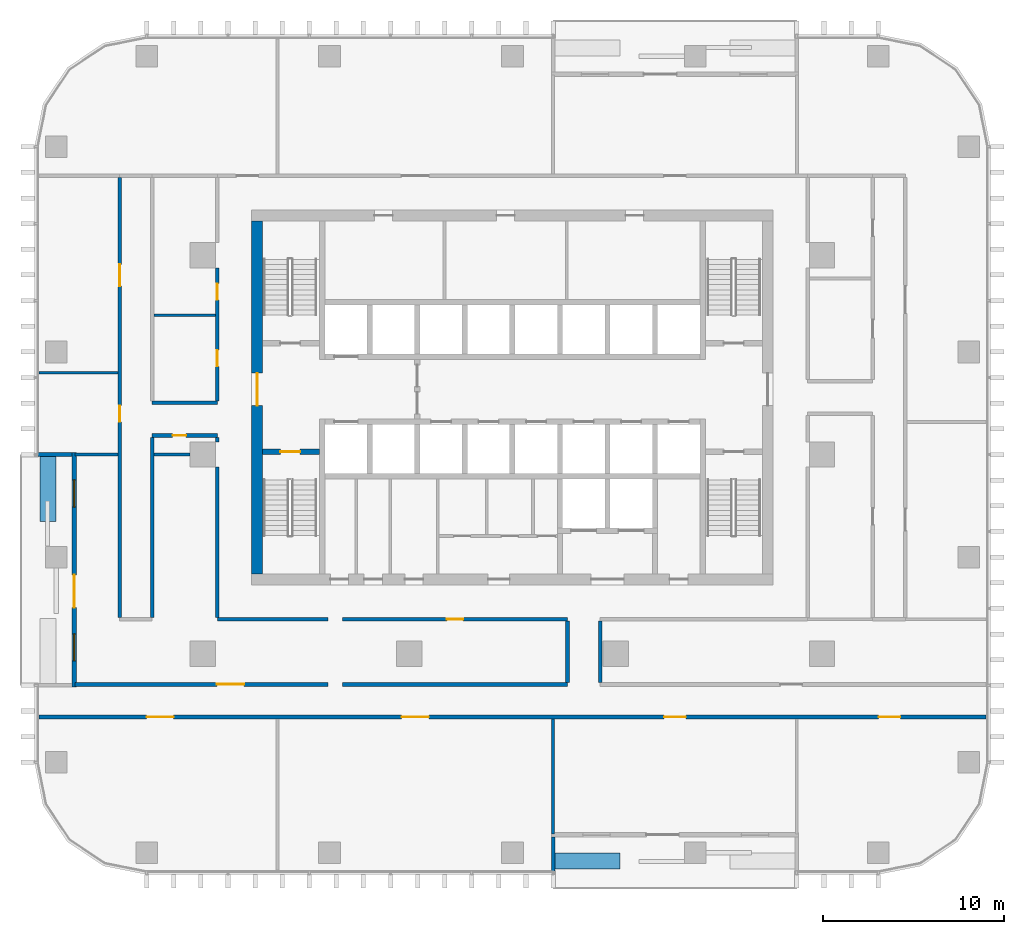
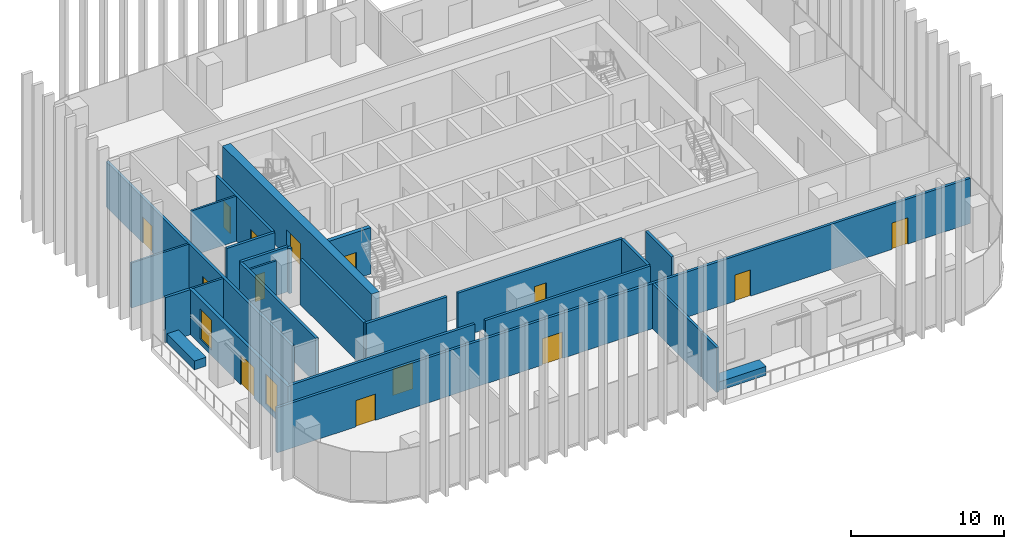
# One storey, part 7 of 16: 26 walls, 14 doors, 2 windows, 16 openings.
"""IFC4 building model written with IfcOpenShell, lengths in metres."""

from ifc_helpers import new_model, si_unit, direction, frame, frame_2d, origin, place, context, subcontext, project, spatial, rectangle, extrude, material, layer, layer_set, type_object, element, fill, save


model = new_model("IFC4")

# Units and contexts
model_context = context("Model", 3, precision=1e-05, world=origin(), true_north=direction((0.0, 1.0)))
body_context = subcontext(model_context, "Body", "Model", "MODEL_VIEW")
ifc_project = project(units=[si_unit("LENGTHUNIT", "METRE"), si_unit("AREAUNIT", "SQUARE_METRE"), si_unit("VOLUMEUNIT", "CUBIC_METRE"), si_unit("PLANEANGLEUNIT", "RADIAN"), si_unit("MASSUNIT", "GRAM", prefix="KILO")], contexts=[model_context])

# Site, building, storey
site_placement = place(None, origin())
site = spatial("IfcSite", under=ifc_project, at=site_placement, CompositionType="ELEMENT")
building_placement = place(site_placement, origin())
building = spatial("IfcBuilding", under=site, at=building_placement, Name="Mopane Tessera Tower", CompositionType="ELEMENT")
storey_placement = place(building_placement, frame((0.0, 0.0, 193.0)))
storey = spatial("IfcBuildingStorey", under=building, at=storey_placement, Name="L40", CompositionType="ELEMENT", Elevation=193.0)

# Wall, opening, door
ifc_material_1 = material(Name="Concrete C70/85", Category="concrete")
ifc_layer_1 = layer(ifc_material_1, 0.60009765625)
ifc_layer_set_1 = layer_set([ifc_layer_1], Name="Concrete C70/85")
wall_type_1 = type_object("IfcWallType", Name="Core shear wall 600 mm", PredefinedType="SHEAR", material=ifc_layer_set_1)
wall_1_placement = place(storey_placement, frame((-14.10009765625, -6.60009765625, 0.0), z_axis=(0.0, 0.0, 1.0), x_axis=(0.0, 1.0, 0.0)))
wall_1 = element("IfcWall", 1, at=wall_1_placement, inside=storey, type_object=wall_type_1, Name="L40 Core wall west", PredefinedType="SHEAR", context=body_context, shape_type="SweptSolid", body=[
    extrude(rectangle(XDim=19.5, YDim=0.60009765625, at=frame_2d((9.75, 0.0))), origin(), (0.0, 0.0, 1.0), 3.699951171875),
])
opening_1_placement = place(wall_1_placement, frame((9.300048828125, 0.0, 0.0)))
opening_1 = element("IfcOpeningElement", 2, at=opening_1_placement, cuts=wall_1, Name="Opening SD2", PredefinedType="OPENING", context=body_context, shape_type="SweptSolid", body=[
    extrude(rectangle(XDim=1.800048828125, YDim=2.10009765625, at=frame_2d((0.89990234375, 1.050048828125))), frame((0.0, 0.31201171875, 0.0), z_axis=(0.0, -1.0, 0.0), x_axis=(1.0, 0.0, 0.0)), (0.0, 0.0, 1.0), 0.6240234375),
])
ifc_material_2 = material(Name="Steel fire door", Category="steel")
door_type_1 = type_object("IfcDoorType", Name="Core entrance double door 1800 x 2100", OperationType="DOUBLE_DOOR_SINGLE_SWING", PredefinedType="DOOR", material=ifc_material_2)
door_1_placement = place(opening_1_placement, origin())
door_1 = element("IfcDoor", 3, at=door_1_placement, inside=storey, type_object=door_type_1, Name="L40 Core entrance door west", OperationType="DOUBLE_DOOR_SINGLE_SWING", OverallHeight=2.10009765625, OverallWidth=1.800048828125, PredefinedType="DOOR", context=body_context, shape_type="SweptSolid", body=[
    extrude(rectangle(XDim=1.800048828125, YDim=2.10009765625, at=frame_2d((0.89990234375, 1.050048828125))), frame((0.0, 0.02490234375, 0.0), z_axis=(0.0, -1.0, 0.0), x_axis=(1.0, 0.0, 0.0)), (0.0, 0.0, 1.0), 0.050048828125),
])
fill(opening_1, door_1)

# Wall
ifc_material_3 = material(Name="Gypsum board on staggered steel studs, double layer each face, acoustic mineral wool infill", Category="steel")
ifc_layer_2 = layer(ifc_material_3, 0.175048828125)
ifc_layer_set_2 = layer_set([ifc_layer_2], Name="Gypsum board on staggered steel studs, double layer each face, acoustic mineral wool infill")
wall_type_2 = type_object("IfcWallType", Name="Gypsum board acoustic partition 175, rated EI 60", PredefinedType="PARTITIONING", material=ifc_layer_set_2)
wall_2_placement = place(storey_placement, frame((2.2451171875, -20.949951171875, 0.0), z_axis=(0.0, 0.0, 1.0), x_axis=(0.0, 1.0, 0.0)))
element("IfcWall", 4, at=wall_2_placement, inside=storey, type_object=wall_type_2, Name="Partition L40:037", PredefinedType="PARTITIONING", context=body_context, shape_type="SweptSolid", body=[
    extrude(rectangle(XDim=6.349853515625, YDim=0.175048828125, at=frame_2d((3.1748046875, 0.0))), origin(), (0.0, 0.0, 1.0), 3.60009765625),
])

# Wall, openings, doors
ifc_material_4 = material(Name="Gypsum board on steel studs, two layers each face, mineral wool infill", Category="steel")
ifc_layer_3 = layer(ifc_material_4, 0.199951171875)
ifc_layer_set_3 = layer_set([ifc_layer_3], Name="Gypsum board on steel studs, two layers each face, mineral wool infill")
wall_type_3 = type_object("IfcWallType", Name="Gypsum board corridor wall 200, rated EI 60", PredefinedType="PARTITIONING", material=ifc_layer_set_3)
wall_3_placement = place(storey_placement, frame((-26.14990234375, -14.5, 0.0), z_axis=(0.0, 0.0, 1.0), x_axis=(1.0, 0.0, 0.0)))
wall_3 = element("IfcWall", 5, at=wall_3_placement, inside=storey, type_object=wall_type_3, Name="Partition L40:000", PredefinedType="PARTITIONING", context=body_context, shape_type="SweptSolid", body=[
    extrude(rectangle(XDim=52.2998046875, YDim=0.199951171875, at=frame_2d((26.14990234375, 0.0))), origin(), (0.0, 0.0, 1.0), 3.60009765625),
])
opening_2_placement = place(wall_3_placement, frame((46.3798828125, 0.0, 0.0)))
opening_2 = element("IfcOpeningElement", 6, at=opening_2_placement, cuts=wall_3, Name="Opening L40-04", PredefinedType="OPENING", context=body_context, shape_type="SweptSolid", body=[
    extrude(rectangle(XDim=1.199951171875, YDim=2.10009765625, at=frame_2d((0.60009765625, 1.050048828125))), frame((0.0, 0.112060546875, 0.0), z_axis=(0.0, -1.0, 0.0), x_axis=(1.0, 0.0, 0.0)), (0.0, 0.0, 1.0), 0.223876953125),
])
opening_3_placement = place(wall_3_placement, frame((5.9375, 0.0, 0.0)))
opening_3 = element("IfcOpeningElement", 7, at=opening_3_placement, cuts=wall_3, Name="Opening L40-12", PredefinedType="OPENING", context=body_context, shape_type="SweptSolid", body=[
    extrude(rectangle(XDim=1.5, YDim=2.10009765625, at=frame_2d((0.75, 1.050048828125))), frame((0.0, 0.112060546875, 0.0), z_axis=(0.0, -1.0, 0.0), x_axis=(1.0, 0.0, 0.0)), (0.0, 0.0, 1.0), 0.223876953125),
])
opening_4_placement = place(wall_3_placement, frame((20.034912109375, 0.0, 0.0)))
opening_4 = element("IfcOpeningElement", 8, at=opening_4_placement, cuts=wall_3, Name="Opening L40-16", PredefinedType="OPENING", context=body_context, shape_type="SweptSolid", body=[
    extrude(rectangle(XDim=1.5, YDim=2.10009765625, at=frame_2d((0.75, 1.050048828125))), frame((0.0, 0.112060546875, 0.0), z_axis=(0.0, -1.0, 0.0), x_axis=(1.0, 0.0, 0.0)), (0.0, 0.0, 1.0), 0.223876953125),
])
opening_5_placement = place(wall_3_placement, frame((34.527587890625, 0.0, 0.0)))
opening_5 = element("IfcOpeningElement", 9, at=opening_5_placement, cuts=wall_3, Name="Opening L40-19", PredefinedType="OPENING", context=body_context, shape_type="SweptSolid", body=[
    extrude(rectangle(XDim=1.199951171875, YDim=2.10009765625, at=frame_2d((0.60009765625, 1.050048828125))), frame((0.0, 0.112060546875, 0.0), z_axis=(0.0, -1.0, 0.0), x_axis=(1.0, 0.0, 0.0)), (0.0, 0.0, 1.0), 0.223876953125),
])
ifc_material_5 = material(Name="Timber veneered steel-framed fire door", Category="steel")
door_type_2 = type_object("IfcDoorType", Name="Fire door FD60 1200 x 2100", OperationType="SINGLE_SWING_LEFT", PredefinedType="DOOR", material=ifc_material_5)
door_2_placement = place(opening_2_placement, origin())
door_2 = element("IfcDoor", 10, at=door_2_placement, inside=storey, type_object=door_type_2, Name="Door L40-04", ObjectType="D15A", OperationType="SINGLE_SWING_RIGHT", OverallHeight=2.10009765625, OverallWidth=1.199951171875, PredefinedType="DOOR", context=body_context, shape_type="SweptSolid", body=[
    extrude(rectangle(XDim=1.199951171875, YDim=2.10009765625, at=frame_2d((0.60009765625, 1.050048828125))), frame((0.0, 0.02490234375, 0.0), z_axis=(0.0, -1.0, 0.0), x_axis=(1.0, 0.0, 0.0)), (0.0, 0.0, 1.0), 0.050048828125),
])
fill(opening_2, door_2)
door_3_placement = place(opening_5_placement, origin())
door_3 = element("IfcDoor", 11, at=door_3_placement, inside=storey, type_object=door_type_2, Name="Door L40-19", ObjectType="D15A", OperationType="SINGLE_SWING_LEFT", OverallHeight=2.10009765625, OverallWidth=1.199951171875, PredefinedType="DOOR", context=body_context, shape_type="SweptSolid", body=[
    extrude(rectangle(XDim=1.199951171875, YDim=2.10009765625, at=frame_2d((0.60009765625, 1.050048828125))), frame((0.0, 0.02490234375, 0.0), z_axis=(0.0, -1.0, 0.0), x_axis=(1.0, 0.0, 0.0)), (0.0, 0.0, 1.0), 0.050048828125),
])
fill(opening_5, door_3)
ifc_material_6 = material(Name="Timber veneered steel-framed fire door", Category="steel")
door_type_3 = type_object("IfcDoorType", Name="Fire door pair FD60 1500 x 2100", OperationType="DOUBLE_DOOR_SINGLE_SWING", PredefinedType="DOOR", material=ifc_material_6)
door_4_placement = place(opening_3_placement, origin())
door_4 = element("IfcDoor", 12, at=door_4_placement, inside=storey, type_object=door_type_3, Name="Door L40-12", ObjectType="D17A", OperationType="DOUBLE_DOOR_SINGLE_SWING", OverallHeight=2.10009765625, OverallWidth=1.5, PredefinedType="DOOR", context=body_context, shape_type="SweptSolid", body=[
    extrude(rectangle(XDim=1.5, YDim=2.10009765625, at=frame_2d((0.75, 1.050048828125))), frame((0.0, 0.02490234375, 0.0), z_axis=(0.0, -1.0, 0.0), x_axis=(1.0, 0.0, 0.0)), (0.0, 0.0, 1.0), 0.050048828125),
])
fill(opening_3, door_4)
door_5_placement = place(opening_4_placement, origin())
door_5 = element("IfcDoor", 13, at=door_5_placement, inside=storey, type_object=door_type_3, Name="Door L40-16", ObjectType="D17A", OperationType="DOUBLE_DOOR_SINGLE_SWING", OverallHeight=2.10009765625, OverallWidth=1.5, PredefinedType="DOOR", context=body_context, shape_type="SweptSolid", body=[
    extrude(rectangle(XDim=1.5, YDim=2.10009765625, at=frame_2d((0.75, 1.050048828125))), frame((0.0, 0.02490234375, 0.0), z_axis=(0.0, -1.0, 0.0), x_axis=(1.0, 0.0, 0.0)), (0.0, 0.0, 1.0), 0.050048828125),
])
fill(opening_4, door_5)

# Wall, opening, door
wall_4_placement = place(storey_placement, frame((-24.14990234375, -12.699951171875, 0.0), z_axis=(0.0, 0.0, 1.0), x_axis=(1.0, 0.0, 0.0)))
wall_4 = element("IfcWall", 14, at=wall_4_placement, inside=storey, type_object=wall_type_3, Name="Partition L40:001", PredefinedType="PARTITIONING", context=body_context, shape_type="SweptSolid", body=[
    extrude(rectangle(XDim=13.949951171875, YDim=0.199951171875, at=frame_2d((6.97509765625, 0.0))), origin(), (0.0, 0.0, 1.0), 3.60009765625),
])
opening_6_placement = place(wall_4_placement, frame((7.824951171875, 0.0, 0.0)))
opening_6 = element("IfcOpeningElement", 15, at=opening_6_placement, cuts=wall_4, Name="Opening L40-18", PredefinedType="OPENING", context=body_context, shape_type="SweptSolid", body=[
    extrude(rectangle(XDim=1.5, YDim=2.10009765625, at=frame_2d((0.75, 1.050048828125))), frame((0.0, 0.112060546875, 0.0), z_axis=(0.0, -1.0, 0.0), x_axis=(1.0, 0.0, 0.0)), (0.0, 0.0, 1.0), 0.223876953125),
])
door_6_placement = place(opening_6_placement, origin())
door_6 = element("IfcDoor", 16, at=door_6_placement, inside=storey, type_object=door_type_3, Name="Door L40-18", ObjectType="D17A", OperationType="DOUBLE_DOOR_SINGLE_SWING", OverallHeight=2.10009765625, OverallWidth=1.5, PredefinedType="DOOR", context=body_context, shape_type="SweptSolid", body=[
    extrude(rectangle(XDim=1.5, YDim=2.10009765625, at=frame_2d((0.75, 1.050048828125))), frame((0.0, 0.02490234375, 0.0), z_axis=(0.0, -1.0, 0.0), x_axis=(1.0, 0.0, 0.0)), (0.0, 0.0, 1.0), 0.050048828125),
])
fill(opening_6, door_6)

# Walls
wall_5_placement = place(storey_placement, frame((-9.385009765625, -12.699951171875, 0.0), z_axis=(0.0, 0.0, 1.0), x_axis=(1.0, 0.0, 0.0)))
element("IfcWall", 17, at=wall_5_placement, inside=storey, type_object=wall_type_3, Name="Partition L40:002", PredefinedType="PARTITIONING", context=body_context, shape_type="SweptSolid", body=[
    extrude(rectangle(XDim=12.425048828125, YDim=0.199951171875, at=frame_2d((6.21240234375, 0.0))), origin(), (0.0, 0.0, 1.0), 3.60009765625),
])
wall_6_placement = place(storey_placement, frame((-16.300048828125, -9.10009765625, 0.0), z_axis=(0.0, 0.0, 1.0), x_axis=(1.0, 0.0, 0.0)))
element("IfcWall", 18, at=wall_6_placement, inside=storey, type_object=wall_type_3, Name="Partition L40:007", PredefinedType="PARTITIONING", context=body_context, shape_type="SweptSolid", body=[
    extrude(rectangle(XDim=6.10009765625, YDim=0.199951171875, at=frame_2d((3.050048828125, 0.0))), origin(), (0.0, 0.0, 1.0), 3.60009765625),
])

# Wall, opening, door
wall_7_placement = place(storey_placement, frame((-9.385009765625, -9.10009765625, 0.0), z_axis=(0.0, 0.0, 1.0), x_axis=(1.0, 0.0, 0.0)))
wall_7 = element("IfcWall", 19, at=wall_7_placement, inside=storey, type_object=wall_type_3, Name="Partition L40:008", PredefinedType="PARTITIONING", context=body_context, shape_type="SweptSolid", body=[
    extrude(rectangle(XDim=12.425048828125, YDim=0.199951171875, at=frame_2d((6.21240234375, 0.0))), origin(), (0.0, 0.0, 1.0), 3.60009765625),
])
opening_7_placement = place(wall_7_placement, frame((5.762451171875, 0.0, 0.0)))
opening_7 = element("IfcOpeningElement", 20, at=opening_7_placement, cuts=wall_7, Name="Opening L40-11", PredefinedType="OPENING", context=body_context, shape_type="SweptSolid", body=[
    extrude(rectangle(XDim=0.89990234375, YDim=2.10009765625, at=frame_2d((0.449951171875, 1.050048828125))), frame((0.0, 0.112060546875, 0.0), z_axis=(0.0, -1.0, 0.0), x_axis=(1.0, 0.0, 0.0)), (0.0, 0.0, 1.0), 0.223876953125),
])
ifc_material_7 = material(Name="Timber veneered steel-framed fire door", Category="steel")
door_type_4 = type_object("IfcDoorType", Name="Fire door FD60 900 x 2100", OperationType="SINGLE_SWING_LEFT", PredefinedType="DOOR", material=ifc_material_7)
door_7_placement = place(opening_7_placement, origin())
door_7 = element("IfcDoor", 21, at=door_7_placement, inside=storey, type_object=door_type_4, Name="Door L40-11", ObjectType="D10A", OperationType="SINGLE_SWING_LEFT", OverallHeight=2.10009765625, OverallWidth=0.89990234375, PredefinedType="DOOR", context=body_context, shape_type="SweptSolid", body=[
    extrude(rectangle(XDim=0.89990234375, YDim=2.10009765625, at=frame_2d((0.449951171875, 1.050048828125))), frame((0.0, 0.02490234375, 0.0), z_axis=(0.0, -1.0, 0.0), x_axis=(1.0, 0.0, 0.0)), (0.0, 0.0, 1.0), 0.050048828125),
])
fill(opening_7, door_7)

wall_8_placement = place(storey_placement, frame((-19.89990234375, 1.050048828125, 0.0), z_axis=(0.0, 0.0, 1.0), x_axis=(1.0, 0.0, 0.0)))
wall_8 = element("IfcWall", 22, at=wall_8_placement, inside=storey, type_object=wall_type_3, Name="Partition L40:013", PredefinedType="PARTITIONING", context=body_context, shape_type="SweptSolid", body=[
    extrude(rectangle(XDim=3.599853515625, YDim=0.199951171875, at=frame_2d((1.7998046875, 0.0))), origin(), (0.0, 0.0, 1.0), 3.60009765625),
])
opening_8_placement = place(wall_8_placement, frame((1.125, 0.0, 0.0)))
opening_8 = element("IfcOpeningElement", 23, at=opening_8_placement, cuts=wall_8, Name="Opening L40-05", PredefinedType="OPENING", context=body_context, shape_type="SweptSolid", body=[
    extrude(rectangle(XDim=0.75, YDim=2.10009765625, at=frame_2d((0.375, 1.050048828125))), frame((0.0, 0.112060546875, 0.0), z_axis=(0.0, -1.0, 0.0), x_axis=(1.0, 0.0, 0.0)), (0.0, 0.0, 1.0), 0.223876953125),
])
ifc_material_8 = material(Name="Timber veneered steel-framed fire door", Category="steel")
door_type_5 = type_object("IfcDoorType", Name="Fire door FD60 750 x 2100", OperationType="SINGLE_SWING_LEFT", PredefinedType="DOOR", material=ifc_material_8)
door_8_placement = place(opening_8_placement, origin())
door_8 = element("IfcDoor", 24, at=door_8_placement, inside=storey, type_object=door_type_5, Name="Door L40-05", ObjectType="D08A", OperationType="SINGLE_SWING_LEFT", OverallHeight=2.10009765625, OverallWidth=0.75, PredefinedType="DOOR", context=body_context, shape_type="SweptSolid", body=[
    extrude(rectangle(XDim=0.75, YDim=2.10009765625, at=frame_2d((0.375, 1.050048828125))), frame((0.0, 0.02490234375, 0.0), z_axis=(0.0, -1.0, 0.0), x_axis=(1.0, 0.0, 0.0)), (0.0, 0.0, 1.0), 0.050048828125),
])
fill(opening_8, door_8)

# Wall
wall_9_placement = place(storey_placement, frame((-19.89990234375, 2.85009765625, 0.0), z_axis=(0.0, 0.0, 1.0), x_axis=(1.0, 0.0, 0.0)))
element("IfcWall", 25, at=wall_9_placement, inside=storey, type_object=wall_type_3, Name="Partition L40:016", PredefinedType="PARTITIONING", context=body_context, shape_type="SweptSolid", body=[
    extrude(rectangle(XDim=3.599853515625, YDim=0.199951171875, at=frame_2d((1.7998046875, 0.0))), origin(), (0.0, 0.0, 1.0), 3.60009765625),
])

# Wall, openings, doors
wall_10_placement = place(storey_placement, frame((-21.699951171875, -9.0, 0.0), z_axis=(0.0, 0.0, 1.0), x_axis=(0.0, 1.0, 0.0)))
wall_10 = element("IfcWall", 26, at=wall_10_placement, inside=storey, type_object=wall_type_3, Name="Partition L40:027", PredefinedType="PARTITIONING", context=body_context, shape_type="SweptSolid", body=[
    extrude(rectangle(XDim=24.300048828125, YDim=0.199951171875, at=frame_2d((12.14990234375, 0.0))), origin(), (0.0, 0.0, 1.0), 3.60009765625),
])
opening_9_placement = place(wall_10_placement, frame((18.304931640625, 0.0, 0.0)))
opening_9 = element("IfcOpeningElement", 27, at=opening_9_placement, cuts=wall_10, Name="Opening L40-01", PredefinedType="OPENING", context=body_context, shape_type="SweptSolid", body=[
    extrude(rectangle(XDim=1.199951171875, YDim=2.10009765625, at=frame_2d((0.60009765625, 1.050048828125))), frame((0.0, 0.112060546875, 0.0), z_axis=(0.0, -1.0, 0.0), x_axis=(1.0, 0.0, 0.0)), (0.0, 0.0, 1.0), 0.223876953125),
])
opening_10_placement = place(wall_10_placement, frame((10.804931640625, 0.0, 0.0)))
opening_10 = element("IfcOpeningElement", 28, at=opening_10_placement, cuts=wall_10, Name="Opening L40-09", PredefinedType="OPENING", context=body_context, shape_type="SweptSolid", body=[
    extrude(rectangle(XDim=0.89990234375, YDim=2.10009765625, at=frame_2d((0.449951171875, 1.050048828125))), frame((0.0, 0.112060546875, 0.0), z_axis=(0.0, -1.0, 0.0), x_axis=(1.0, 0.0, 0.0)), (0.0, 0.0, 1.0), 0.223876953125),
])
door_9_placement = place(opening_9_placement, origin())
door_9 = element("IfcDoor", 29, at=door_9_placement, inside=storey, type_object=door_type_2, Name="Door L40-01", ObjectType="D15A", OperationType="SINGLE_SWING_RIGHT", OverallHeight=2.10009765625, OverallWidth=1.199951171875, PredefinedType="DOOR", context=body_context, shape_type="SweptSolid", body=[
    extrude(rectangle(XDim=1.199951171875, YDim=2.10009765625, at=frame_2d((0.60009765625, 1.050048828125))), frame((0.0, 0.02490234375, 0.0), z_axis=(0.0, -1.0, 0.0), x_axis=(1.0, 0.0, 0.0)), (0.0, 0.0, 1.0), 0.050048828125),
])
fill(opening_9, door_9)
door_10_placement = place(opening_10_placement, origin())
door_10 = element("IfcDoor", 30, at=door_10_placement, inside=storey, type_object=door_type_4, Name="Door L40-09", ObjectType="D10A", OperationType="SINGLE_SWING_RIGHT", OverallHeight=2.10009765625, OverallWidth=0.89990234375, PredefinedType="DOOR", context=body_context, shape_type="SweptSolid", body=[
    extrude(rectangle(XDim=0.89990234375, YDim=2.10009765625, at=frame_2d((0.449951171875, 1.050048828125))), frame((0.0, 0.02490234375, 0.0), z_axis=(0.0, -1.0, 0.0), x_axis=(1.0, 0.0, 0.0)), (0.0, 0.0, 1.0), 0.050048828125),
])
fill(opening_10, door_10)

# Walls
wall_11_placement = place(storey_placement, frame((-19.89990234375, -9.0, 0.0), z_axis=(0.0, 0.0, 1.0), x_axis=(0.0, 1.0, 0.0)))
element("IfcWall", 31, at=wall_11_placement, inside=storey, type_object=wall_type_3, Name="Partition L40:028", PredefinedType="PARTITIONING", context=body_context, shape_type="SweptSolid", body=[
    extrude(rectangle(XDim=9.949951171875, YDim=0.199951171875, at=frame_2d((4.97509765625, 0.0))), origin(), (0.0, 0.0, 1.0), 3.60009765625),
])
wall_12_placement = place(storey_placement, frame((-16.300048828125, -9.0, 0.0), z_axis=(0.0, 0.0, 1.0), x_axis=(0.0, 1.0, 0.0)))
element("IfcWall", 32, at=wall_12_placement, inside=storey, type_object=wall_type_3, Name="Partition L40:030", PredefinedType="PARTITIONING", context=body_context, shape_type="SweptSolid", body=[
    extrude(rectangle(XDim=8.300048828125, YDim=0.199951171875, at=frame_2d((4.14990234375, 0.0))), origin(), (0.0, 0.0, 1.0), 3.60009765625),
])
wall_13_placement = place(storey_placement, frame((-16.300048828125, 0.699951171875, 0.0), z_axis=(0.0, 0.0, 1.0), x_axis=(0.0, 1.0, 0.0)))
element("IfcWall", 33, at=wall_13_placement, inside=storey, type_object=wall_type_3, Name="Partition L40:031", PredefinedType="PARTITIONING", context=body_context, shape_type="SweptSolid", body=[
    extrude(rectangle(XDim=0.25, YDim=0.199951171875, at=frame_2d((0.125, 0.0))), origin(), (0.0, 0.0, 1.0), 3.60009765625),
])

# Wall, openings, doors
wall_14_placement = place(storey_placement, frame((-16.300048828125, 2.949951171875, 0.0), z_axis=(0.0, 0.0, 1.0), x_axis=(0.0, 1.0, 0.0)))
wall_14 = element("IfcWall", 34, at=wall_14_placement, inside=storey, type_object=wall_type_3, Name="Partition L40:032", PredefinedType="PARTITIONING", context=body_context, shape_type="SweptSolid", body=[
    extrude(rectangle(XDim=7.35009765625, YDim=0.199951171875, at=frame_2d((3.675048828125, 0.0))), origin(), (0.0, 0.0, 1.0), 3.60009765625),
])
opening_11_placement = place(wall_14_placement, frame((5.592529296875, 0.0, 0.0)))
opening_11 = element("IfcOpeningElement", 35, at=opening_11_placement, cuts=wall_14, Name="Opening L40-02", PredefinedType="OPENING", context=body_context, shape_type="SweptSolid", body=[
    extrude(rectangle(XDim=0.89990234375, YDim=2.10009765625, at=frame_2d((0.449951171875, 1.050048828125))), frame((0.0, 0.112060546875, 0.0), z_axis=(0.0, -1.0, 0.0), x_axis=(1.0, 0.0, 0.0)), (0.0, 0.0, 1.0), 0.223876953125),
])
opening_12_placement = place(wall_14_placement, frame((1.91748046875, 0.0, 0.0)))
opening_12 = element("IfcOpeningElement", 36, at=opening_12_placement, cuts=wall_14, Name="Opening L40-10", PredefinedType="OPENING", context=body_context, shape_type="SweptSolid", body=[
    extrude(rectangle(XDim=0.89990234375, YDim=2.10009765625, at=frame_2d((0.449951171875, 1.050048828125))), frame((0.0, 0.112060546875, 0.0), z_axis=(0.0, -1.0, 0.0), x_axis=(1.0, 0.0, 0.0)), (0.0, 0.0, 1.0), 0.223876953125),
])
door_11_placement = place(opening_11_placement, origin())
door_11 = element("IfcDoor", 37, at=door_11_placement, inside=storey, type_object=door_type_4, Name="Door L40-02", ObjectType="D10A", OperationType="SINGLE_SWING_LEFT", OverallHeight=2.10009765625, OverallWidth=0.89990234375, PredefinedType="DOOR", context=body_context, shape_type="SweptSolid", body=[
    extrude(rectangle(XDim=0.89990234375, YDim=2.10009765625, at=frame_2d((0.449951171875, 1.050048828125))), frame((0.0, 0.02490234375, 0.0), z_axis=(0.0, -1.0, 0.0), x_axis=(1.0, 0.0, 0.0)), (0.0, 0.0, 1.0), 0.050048828125),
])
fill(opening_11, door_11)
door_12_placement = place(opening_12_placement, origin())
door_12 = element("IfcDoor", 38, at=door_12_placement, inside=storey, type_object=door_type_4, Name="Door L40-10", ObjectType="D10A", OperationType="SINGLE_SWING_LEFT", OverallHeight=2.10009765625, OverallWidth=0.89990234375, PredefinedType="DOOR", context=body_context, shape_type="SweptSolid", body=[
    extrude(rectangle(XDim=0.89990234375, YDim=2.10009765625, at=frame_2d((0.449951171875, 1.050048828125))), frame((0.0, 0.02490234375, 0.0), z_axis=(0.0, -1.0, 0.0), x_axis=(1.0, 0.0, 0.0)), (0.0, 0.0, 1.0), 0.050048828125),
])
fill(opening_12, door_12)

# Walls
for number, where, z_axis, x_axis, name in (
    (39, (3.0400390625, -12.60009765625, 0.0), (0.0, 0.0, 1.0), (0.0, 1.0, 0.0), "Partition L40:038"),
    (40, (4.840087890625, -12.60009765625, 0.0), (0.0, 0.0, 1.0), (0.0, 1.0, 0.0), "Partition L40:039"),
):
    element("IfcWall", number, at=place(storey_placement, frame(where, z_axis=z_axis, x_axis=x_axis)), inside=storey, type_object=wall_type_3, Name=name, PredefinedType="PARTITIONING", context=body_context, shape_type="SweptSolid", body=[
        extrude(rectangle(XDim=3.400146484375, YDim=0.199951171875, at=frame_2d((1.7001953125, 0.0))), origin(), (0.0, 0.0, 1.0), 3.60009765625),
    ])
ifc_material_9 = material(Name="Gypsum board on steel studs, mineral wool infill", Category="steel")
ifc_layer_4 = layer(ifc_material_9, 0.14990234375)
ifc_layer_set_4 = layer_set([ifc_layer_4], Name="Gypsum board on steel studs, mineral wool infill")
wall_type_4 = type_object("IfcWallType", Name="Gypsum board partition 150, rated EI 60", PredefinedType="PARTITIONING", material=ifc_layer_set_4)
wall_15_placement = place(storey_placement, frame((-24.14990234375, 0.0, 0.0), z_axis=(0.0, 0.0, 1.0), x_axis=(1.0, 0.0, 0.0)))
element("IfcWall", 41, at=wall_15_placement, inside=storey, type_object=wall_type_4, Name="Partition L40:011", PredefinedType="PARTITIONING", context=body_context, shape_type="SweptSolid", body=[
    extrude(rectangle(XDim=2.349853515625, YDim=0.14990234375, at=frame_2d((1.1748046875, 0.0))), origin(), (0.0, 0.0, 1.0), 3.60009765625),
])
wall_16_placement = place(storey_placement, frame((-19.800048828125, 0.0, 0.0), z_axis=(0.0, 0.0, 1.0), x_axis=(1.0, 0.0, 0.0)))
element("IfcWall", 42, at=wall_16_placement, inside=storey, type_object=wall_type_4, Name="Partition L40:012", PredefinedType="PARTITIONING", context=body_context, shape_type="SweptSolid", body=[
    extrude(rectangle(XDim=2.0, YDim=0.14990234375, at=frame_2d((1.0, 0.0))), origin(), (0.0, 0.0, 1.0), 3.60009765625),
])
wall_17_placement = place(storey_placement, frame((-26.14990234375, 4.510009765625, 0.0), z_axis=(0.0, 0.0, 1.0), x_axis=(1.0, 0.0, 0.0)))
element("IfcWall", 43, at=wall_17_placement, inside=storey, type_object=wall_type_4, Name="Partition L40:018", PredefinedType="PARTITIONING", context=body_context, shape_type="SweptSolid", body=[
    extrude(rectangle(XDim=4.349853515625, YDim=0.14990234375, at=frame_2d((2.1748046875, 0.0))), origin(), (0.0, 0.0, 1.0), 3.60009765625),
])
wall_18_placement = place(storey_placement, frame((-19.800048828125, 7.68505859375, 0.0), z_axis=(0.0, 0.0, 1.0), x_axis=(1.0, 0.0, 0.0)))
element("IfcWall", 44, at=wall_18_placement, inside=storey, type_object=wall_type_4, Name="Partition L40:019", PredefinedType="PARTITIONING", context=body_context, shape_type="SweptSolid", body=[
    extrude(rectangle(XDim=3.400146484375, YDim=0.14990234375, at=frame_2d((1.7001953125, 0.0))), origin(), (0.0, 0.0, 1.0), 3.60009765625),
])

# Wall, opening, door
ifc_material_10 = material(Name="Concrete C50/60", Category="concrete")
ifc_layer_5 = layer(ifc_material_10, 0.300048828125)
ifc_layer_set_5 = layer_set([ifc_layer_5], Name="Concrete C50/60")
wall_type_5 = type_object("IfcWallType", Name="Lift and stair shaft wall 300 mm", PredefinedType="SOLIDWALL", material=ifc_layer_set_5)
wall_19_placement = place(storey_placement, frame((-13.800048828125, 0.14990234375, 0.0), z_axis=(0.0, 0.0, 1.0), x_axis=(1.0, 0.0, 0.0)))
wall_19 = element("IfcWall", 45, at=wall_19_placement, inside=storey, type_object=wall_type_5, Name="L40 Stair enclosure wall", PredefinedType="SOLIDWALL", context=body_context, shape_type="SweptSolid", body=[
    extrude(rectangle(XDim=3.150146484375, YDim=0.300048828125, at=frame_2d((1.5751953125, 0.0))), origin(), (0.0, 0.0, 1.0), 3.699951171875),
])
opening_13_placement = place(wall_19_placement, frame((0.97509765625, 0.0, 0.0)))
opening_13 = element("IfcOpeningElement", 46, at=opening_13_placement, cuts=wall_19, Name="Opening SD1", PredefinedType="OPENING", context=body_context, shape_type="SweptSolid", body=[
    extrude(rectangle(XDim=1.10009765625, YDim=2.10009765625, at=frame_2d((0.550048828125, 1.050048828125))), frame((0.0, 0.162109375, 0.0), z_axis=(0.0, -1.0, 0.0), x_axis=(1.0, 0.0, 0.0)), (0.0, 0.0, 1.0), 0.323974609375),
])
ifc_material_11 = material(Name="Steel fire door", Category="steel")
door_type_6 = type_object("IfcDoorType", Name="Stair fire door 1100 x 2100", OperationType="SINGLE_SWING_LEFT", PredefinedType="DOOR", material=ifc_material_11)
door_13_placement = place(opening_13_placement, origin())
door_13 = element("IfcDoor", 47, at=door_13_placement, inside=storey, type_object=door_type_6, Name="L40 Stair door ST1", OperationType="SINGLE_SWING_LEFT", OverallHeight=2.10009765625, OverallWidth=1.10009765625, PredefinedType="DOOR", context=body_context, shape_type="SweptSolid", body=[
    extrude(rectangle(XDim=1.10009765625, YDim=2.10009765625, at=frame_2d((0.550048828125, 1.050048828125))), frame((0.0, 0.02490234375, 0.0), z_axis=(0.0, -1.0, 0.0), x_axis=(1.0, 0.0, 0.0)), (0.0, 0.0, 1.0), 0.050048828125),
])
fill(opening_13, door_13)

# Walls
ifc_material_12 = material(Name="Reinforced concrete C32/40 with waterproofing", Category="concrete")
ifc_layer_6 = layer(ifc_material_12, 0.89990234375)
ifc_layer_set_6 = layer_set([ifc_layer_6], Name="Reinforced concrete C32/40 with waterproofing")
wall_type_6 = type_object("IfcWallType", Name="Planter trough 3600 x 900", PredefinedType="STANDARD", material=ifc_layer_set_6)
for number, where, z_axis, x_axis, name in (
    (48, (-25.64990234375, -0.10009765625, 0.0), (0.0, 0.0, 1.0), (0.0, -1.0, 0.0), "e:nw:L40:N1:pl0"),
    (49, (2.344482421875, -22.449951171875, 0.0), (0.0, 0.0, 1.0), (1.0, 0.0, 0.0), "e:nw:L40:N2:pl0"),
):
    element("IfcWall", number, at=place(storey_placement, frame(where, z_axis=z_axis, x_axis=x_axis)), inside=storey, type_object=wall_type_6, Name=name, PredefinedType="STANDARD", context=body_context, shape_type="SweptSolid", body=[
        extrude(rectangle(XDim=3.599853515625, YDim=0.89990234375, at=frame_2d((1.7998046875, 0.0))), origin(), (0.0, 0.0, 1.0), 0.699951171875),
    ])
ifc_material_13 = material(Name="Blockwork with glazed tile facing", Category="masonry")
ifc_layer_7 = layer(ifc_material_13, 0.199951171875)
ifc_layer_set_7 = layer_set([ifc_layer_7], Name="Blockwork with glazed tile facing")
wall_type_7 = type_object("IfcWallType", Name="Terrace cheek wall 200", PredefinedType="STANDARD", material=ifc_layer_set_7)
for number, where, z_axis, x_axis, name in (
    (50, (-26.199951171875, 0.0, 0.0), (0.0, 0.0, 1.0), (1.0, 0.0, 0.0), "e:nw:L40:N1:cheeka"),
    (51, (2.244384765625, -23.0, 0.0), (0.0, 0.0, 1.0), (0.0, 1.0, 0.0), "e:nw:L40:N2:cheeka"),
):
    element("IfcWall", number, at=place(storey_placement, frame(where, z_axis=z_axis, x_axis=x_axis)), inside=storey, type_object=wall_type_7, Name=name, PredefinedType="STANDARD", context=body_context, shape_type="SweptSolid", body=[
        extrude(rectangle(XDim=1.875, YDim=0.199951171875, at=frame_2d((0.9375, 0.0))), origin(), (0.0, 0.0, 1.0), 3.60009765625),
    ])

# Wall, openings, windows, door
ifc_material_14 = material(Name="Blockwork with turquoise glazed tile facing", Category="masonry")
ifc_layer_8 = layer(ifc_material_14, 0.25)
ifc_layer_set_8 = layer_set([ifc_layer_8], Name="Blockwork with turquoise glazed tile facing")
wall_type_8 = type_object("IfcWallType", Name="Tile-clad external wall 250, turquoise", PredefinedType="STANDARD", material=ifc_layer_set_8)
wall_20_placement = place(storey_placement, frame((-24.199951171875, 0.10009765625, 0.0), z_axis=(0.0, 0.0, 1.0), x_axis=(0.0, -1.0, 0.0)))
wall_20 = element("IfcWall", 52, at=wall_20_placement, inside=storey, type_object=wall_type_8, Name="e:nw:L40:N1:back", PredefinedType="STANDARD", context=body_context, shape_type="SweptSolid", body=[
    extrude(rectangle(XDim=12.9501953125, YDim=0.25, at=frame_2d((6.47509765625, 0.0))), origin(), (0.0, 0.0, 1.0), 3.60009765625),
])
opening_14_placement = place(wall_20_placement, frame((1.5, 0.0, 0.449951171875)))
opening_14 = element("IfcOpeningElement", 53, at=opening_14_placement, cuts=wall_20, Name="Opening NW401A", PredefinedType="OPENING", context=body_context, shape_type="SweptSolid", body=[
    extrude(rectangle(XDim=1.5, YDim=2.39990234375, at=frame_2d((0.75, 1.199951171875))), frame((0.0, 0.136962890625, 0.0), z_axis=(0.0, -1.0, 0.0), x_axis=(1.0, 0.0, 0.0)), (0.0, 0.0, 1.0), 0.27392578125),
])
opening_15_placement = place(wall_20_placement, frame((6.75, 0.0, 0.0)))
opening_15 = element("IfcOpeningElement", 54, at=opening_15_placement, cuts=wall_20, Name="Opening ND401", PredefinedType="OPENING", context=body_context, shape_type="SweptSolid", body=[
    extrude(rectangle(XDim=1.800048828125, YDim=2.39990234375, at=frame_2d((0.89990234375, 1.199951171875))), frame((0.0, 0.136962890625, 0.0), z_axis=(0.0, -1.0, 0.0), x_axis=(1.0, 0.0, 0.0)), (0.0, 0.0, 1.0), 0.27392578125),
])
opening_16_placement = place(wall_20_placement, frame((10.0, 0.0, 0.449951171875)))
opening_16 = element("IfcOpeningElement", 55, at=opening_16_placement, cuts=wall_20, Name="Opening NW401B", PredefinedType="OPENING", context=body_context, shape_type="SweptSolid", body=[
    extrude(rectangle(XDim=1.5, YDim=2.39990234375, at=frame_2d((0.75, 1.199951171875))), frame((0.0, 0.136962890625, 0.0), z_axis=(0.0, -1.0, 0.0), x_axis=(1.0, 0.0, 0.0)), (0.0, 0.0, 1.0), 0.27392578125),
])
ifc_material_15 = material(Name="Clear laminated glass", Category="glass")
window_type = type_object("IfcWindowType", Name="Fixed window 1500 x 2400", PartitioningType="SINGLE_PANEL", PredefinedType="WINDOW", material=ifc_material_15)
window_1_placement = place(opening_14_placement, origin())
window_1 = element("IfcWindow", 56, at=window_1_placement, inside=storey, type_object=window_type, Name="e:nw:L40:N1:win0", OverallHeight=2.39990234375, OverallWidth=1.5, PartitioningType="SINGLE_PANEL", PredefinedType="WINDOW", context=body_context, shape_type="SweptSolid", body=[
    extrude(rectangle(XDim=1.5, YDim=2.39990234375, at=frame_2d((0.75, 1.199951171875))), frame((0.0, 0.030029296875, 0.0), z_axis=(0.0, -1.0, 0.0), x_axis=(1.0, 0.0, 0.0)), (0.0, 0.0, 1.0), 0.06005859375),
])
fill(opening_14, window_1)
window_2_placement = place(opening_16_placement, origin())
window_2 = element("IfcWindow", 57, at=window_2_placement, inside=storey, type_object=window_type, Name="e:nw:L40:N1:win2", OverallHeight=2.39990234375, OverallWidth=1.5, PartitioningType="SINGLE_PANEL", PredefinedType="WINDOW", context=body_context, shape_type="SweptSolid", body=[
    extrude(rectangle(XDim=1.5, YDim=2.39990234375, at=frame_2d((0.75, 1.199951171875))), frame((0.0, 0.030029296875, 0.0), z_axis=(0.0, -1.0, 0.0), x_axis=(1.0, 0.0, 0.0)), (0.0, 0.0, 1.0), 0.06005859375),
])
fill(opening_16, window_2)
ifc_material_16 = material(Name="Aluminium and clear glass", Category="aluminium")
door_type_7 = type_object("IfcDoorType", Name="Terrace double door 1800 x 2400", OperationType="DOUBLE_DOOR_SINGLE_SWING", PredefinedType="DOOR", material=ifc_material_16)
door_14_placement = place(opening_15_placement, origin())
door_14 = element("IfcDoor", 58, at=door_14_placement, inside=storey, type_object=door_type_7, Name="e:nw:L40:N1:door", ObjectType="D1", OperationType="DOUBLE_DOOR_SINGLE_SWING", OverallHeight=2.39990234375, OverallWidth=1.800048828125, PredefinedType="DOOR", context=body_context, shape_type="SweptSolid", body=[
    extrude(rectangle(XDim=1.800048828125, YDim=2.39990234375, at=frame_2d((0.89990234375, 1.199951171875))), frame((0.0, 0.02490234375, 0.0), z_axis=(0.0, -1.0, 0.0), x_axis=(1.0, 0.0, 0.0)), (0.0, 0.0, 1.0), 0.050048828125),
])
fill(opening_15, door_14)

save(model, "model.ifc")
